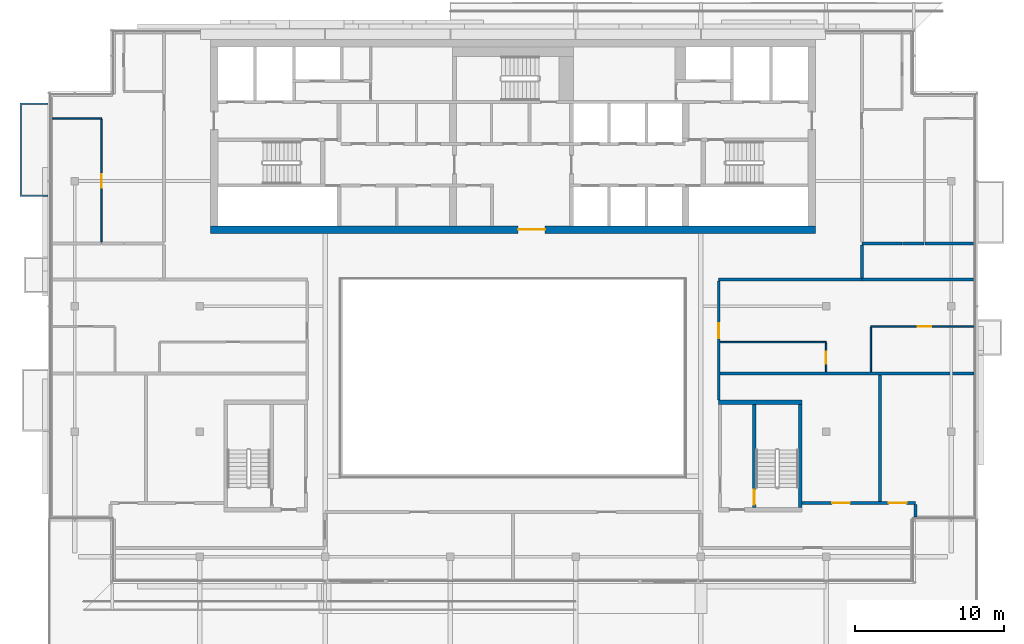
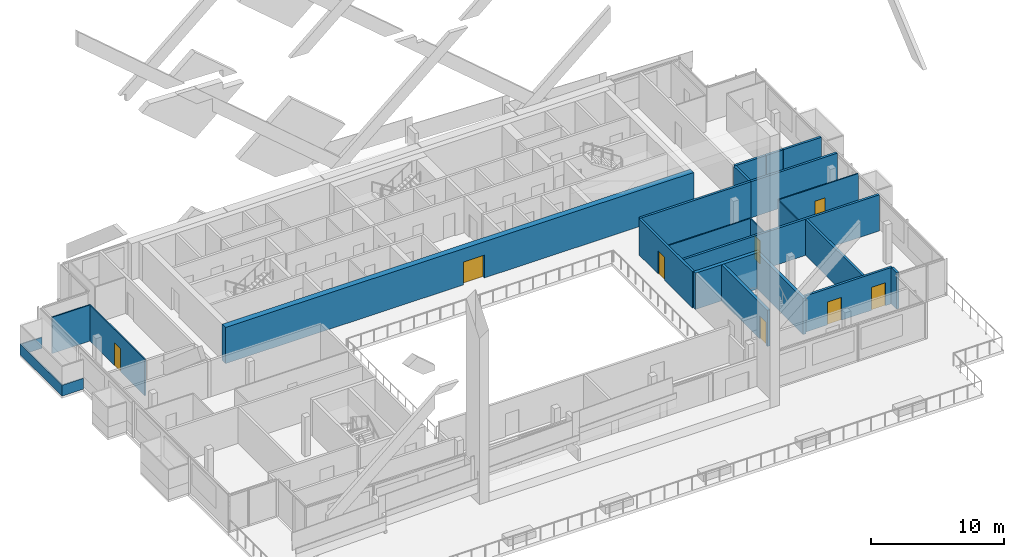
# One storey, part 12 of 22: 22 walls, 8 doors, 8 openings.
"""IFC4 building model written with IfcOpenShell, lengths in metres."""

import ifcopenshell
import ifcopenshell.guid

model = None  # the IFC model being written
_history = None  # IfcOwnerHistory: only IFC2X3 demands one
_inside = {}  # id of a spatial element -> (the spatial element, [elements in it])
_under = {}  # id of a project, library or spatial element -> (it, [spatial elements below it])
_declared = {}  # id of a project -> (the project, [libraries it declares])
_typed = {}  # id of a type object -> (the type object, [elements of that type])
_made_of = {}  # id of a material, layer set ... -> (it, [elements and type objects made of it])


def new_model(schema):
    """Start an empty IFC model of exactly this schema.

    Asked for "IFC4X3", IfcOpenShell would pick the latest addendum, in which some entities
    have other attributes; the version numbers below select the first issue.
    IFC2X3 requires an IfcOwnerHistory on every rooted entity: one is made here for all.
    """
    global model, _history
    if schema == "IFC4X3":
        model = ifcopenshell.file(schema_version=(4, 3, 0, 0))
    else:
        model = ifcopenshell.file(schema=schema)
    _inside.clear()
    _under.clear()
    _declared.clear()
    _typed.clear()
    _made_of.clear()
    _history = None
    if model.schema == "IFC2X3":
        org = make("IfcOrganization", Name="unknown")
        user = make(
            "IfcPersonAndOrganization",
            ThePerson=make("IfcPerson", FamilyName="unknown"),
            TheOrganization=org,
        )
        app = make(
            "IfcApplication",
            ApplicationDeveloper=org,
            Version="unknown",
            ApplicationFullName="unknown",
            ApplicationIdentifier="unknown",
        )
        _history = make(
            "IfcOwnerHistory",
            OwningUser=user,
            OwningApplication=app,
            ChangeAction="ADDED",
            CreationDate=0,
        )
    return model


def make(cls, **values):
    """One entity of the class cls with the attributes given. An attribute that is None is left unset."""
    return model.create_entity(
        cls, **{name: value for name, value in values.items() if value is not None}
    )


def rooted(cls, **values):
    """An entity with a GlobalId (a new one), such as an element, a storey or a relation."""
    return make(cls, GlobalId=ifcopenshell.guid.new(), OwnerHistory=_history, **values)


def si_unit(unit_type, name, prefix=None):
    """IfcSIUnit, for example si_unit("LENGTHUNIT", "METRE", prefix="MILLI")."""
    return make("IfcSIUnit", UnitType=unit_type, Prefix=prefix, Name=name)


def assignment(units):
    """IfcUnitAssignment: the units of a project."""
    return None if units is None else make("IfcUnitAssignment", Units=units)


def point(xyz):
    """IfcCartesianPoint."""
    return None if xyz is None else make("IfcCartesianPoint", Coordinates=xyz)


def direction(xyz):
    """IfcDirection."""
    return None if xyz is None else make("IfcDirection", DirectionRatios=xyz)


def frame(location, z_axis=None, x_axis=None):
    """IfcAxis2Placement3D, a coordinate frame: its origin and axes. An axis left out is left unset."""
    return make(
        "IfcAxis2Placement3D",
        Location=point(location),
        Axis=direction(z_axis),
        RefDirection=direction(x_axis),
    )


def frame_2d(location, x_axis=None):
    """IfcAxis2Placement2D, a coordinate frame in the plane: its origin and x axis."""
    return make(
        "IfcAxis2Placement2D", Location=point(location), RefDirection=direction(x_axis)
    )


def origin():
    """The frame at (0, 0, 0) with its axes left unset."""
    return frame((0.0, 0.0, 0.0))


def place(relative_to, where):
    """IfcLocalPlacement: puts the frame where relative to a parent placement (None: the world)."""
    return make(
        "IfcLocalPlacement", PlacementRelTo=relative_to, RelativePlacement=where
    )


def context(
    kind, dimensions, precision=None, world=None, true_north=None, identifier=None
):
    """IfcGeometricRepresentationContext, for example the 3D "Model" context."""
    return make(
        "IfcGeometricRepresentationContext",
        ContextIdentifier=identifier,
        ContextType=kind,
        CoordinateSpaceDimension=dimensions,
        Precision=precision,
        WorldCoordinateSystem=world,
        TrueNorth=true_north,
    )


def subcontext(parent, identifier, kind, view, scale=None):
    """IfcGeometricRepresentationSubContext, for example "Body" below "Model"."""
    return make(
        "IfcGeometricRepresentationSubContext",
        ContextIdentifier=identifier,
        ContextType=kind,
        ParentContext=parent,
        TargetScale=scale,
        TargetView=view,
    )


def project(units=None, contexts=None):
    """IfcProject with its units and contexts."""
    return rooted(
        "IfcProject",
        Name="project",
        RepresentationContexts=contexts,
        UnitsInContext=assignment(units),
    )


def spatial(cls, under=None, at=None, **own):
    """A site, building, storey or space (cls), placed at a placement, below another one or the project."""
    s = rooted(cls, ObjectPlacement=at, **own)
    if under is not None:
        _under.setdefault(under.id(), (under, []))[1].append(s)
    return s


def polyline(points):
    """IfcPolyline through the points."""
    return make("IfcPolyline", Points=[point(p) for p in points])


def profile(cls, at=None, kind="AREA", **sizes):
    """A parametric profile (cls). Its sizes go by their IFC names, for example OverallWidth=200.0."""
    return make(cls, ProfileType=kind, Position=at, **sizes)


def rectangle(**sizes):
    """IfcRectangleProfileDef."""
    return profile("IfcRectangleProfileDef", **sizes)


def outline(outer, holes=None, kind="AREA"):
    """IfcArbitraryClosedProfileDef: a profile drawn as a closed curve; with holes, ...WithVoids."""
    if holes is None:
        return make("IfcArbitraryClosedProfileDef", ProfileType=kind, OuterCurve=outer)
    return make(
        "IfcArbitraryProfileDefWithVoids",
        ProfileType=kind,
        OuterCurve=outer,
        InnerCurves=holes,
    )


def extrude(swept, where, along, depth):
    """IfcExtrudedAreaSolid: the profile swept, set in the frame where, extruded along a direction by depth."""
    return make(
        "IfcExtrudedAreaSolid",
        SweptArea=swept,
        Position=where,
        ExtrudedDirection=direction(along),
        Depth=depth,
    )


def shape(context_of_items, identifier, shape_type, items):
    """IfcShapeRepresentation: the items that make up one representation, for example the "Body"."""
    return make(
        "IfcShapeRepresentation",
        ContextOfItems=context_of_items,
        RepresentationIdentifier=identifier,
        RepresentationType=shape_type,
        Items=items,
    )


def material(Name=None, Category=None):
    """IfcMaterial."""
    return make("IfcMaterial", Name=Name, Category=Category)


def layer(
    of_material, thickness, ventilated=None, Name=None, Category=None, Priority=None
):
    """IfcMaterialLayer: one layer of a wall or slab, of a material (None: an air gap)."""
    return make(
        "IfcMaterialLayer",
        Material=of_material,
        LayerThickness=thickness,
        IsVentilated=ventilated,
        Name=Name,
        Category=Category,
        Priority=Priority,
    )


def layer_set(layers, Name=None):
    """IfcMaterialLayerSet."""
    return make("IfcMaterialLayerSet", MaterialLayers=layers, LayerSetName=Name)


def made_of(thing, what):
    """Note that an element or type object is made of a material, layer set ...; save() writes the relation."""
    if what is not None:
        _made_of.setdefault(what.id(), (what, []))[1].append(thing)
    return thing


def type_object(cls, material=None, **own):
    """A type object (cls), such as IfcWallType, which elements share."""
    return made_of(rooted(cls, **own), material)


def element(
    cls,
    number,
    at=None,
    inside=None,
    cuts=None,
    type_object=None,
    material=None,
    context=None,
    identifier="Body",
    shape_type=None,
    held_by="IfcProductDefinitionShape",
    body=None,
    shapes=None,
    **own,
):
    """One element of the class cls, such as IfcWall. Its Tag is "e" and its number.

    at: its placement. inside: the storey or other place that contains it. cuts: it is an
    opening in that element (IfcRelVoidsElement). A single representation is given by context,
    identifier, shape_type and body (its items); several are given by shapes. held_by: the class
    of the entity that holds the representations. save() writes the other relations.
    """
    e = rooted(cls, Tag="e%d" % number, ObjectPlacement=at, **own)
    if body is not None:
        shapes = [shape(context, identifier, shape_type, body)]
    if shapes is not None:
        e.Representation = make(held_by, Representations=shapes)
    if inside is not None:
        _inside.setdefault(inside.id(), (inside, []))[1].append(e)
    if cuts is not None:
        rooted(
            "IfcRelVoidsElement", RelatingBuildingElement=cuts, RelatedOpeningElement=e
        )
    if type_object is not None:
        _typed.setdefault(type_object.id(), (type_object, []))[1].append(e)
    return made_of(e, material)


def fill(opening, filler):
    """IfcRelFillsElement: the door or window that sits in an opening."""
    return rooted(
        "IfcRelFillsElement",
        RelatingOpeningElement=opening,
        RelatedBuildingElement=filler,
    )


def aggregate(whole, parts):
    """IfcRelAggregates: a whole, such as a stair, and the parts it consists of."""
    return rooted("IfcRelAggregates", RelatingObject=whole, RelatedObjects=parts)


def save(model, path):
    """Write the relations noted so far, then the file.

    IfcRelAggregates (storeys below a building ...), IfcRelContainedInSpatialStructure (elements
    in a storey), IfcRelDefinesByType, IfcRelAssociatesMaterial and IfcRelDeclares: one each for
    every whole, place, type object, material and project.
    """
    for whole, parts in _under.values():
        aggregate(whole, parts)
    for where, things in _inside.values():
        rooted(
            "IfcRelContainedInSpatialStructure",
            RelatedElements=things,
            RelatingStructure=where,
        )
    for kind, things in _typed.values():
        rooted("IfcRelDefinesByType", RelatedObjects=things, RelatingType=kind)
    for what, things in _made_of.values():
        rooted("IfcRelAssociatesMaterial", RelatedObjects=things, RelatingMaterial=what)
    for by, libraries in _declared.values():
        rooted("IfcRelDeclares", RelatingContext=by, RelatedDefinitions=libraries)
    model.write(path)


model = new_model("IFC4")

# Units and contexts
model_context = context("Model", 3, precision=1e-05, world=origin(), true_north=direction((0.0, 1.0)))
body_context = subcontext(model_context, "Body", "Model", "MODEL_VIEW")
ifc_project = project(units=[si_unit("LENGTHUNIT", "METRE"), si_unit("AREAUNIT", "SQUARE_METRE"), si_unit("VOLUMEUNIT", "CUBIC_METRE"), si_unit("PLANEANGLEUNIT", "RADIAN"), si_unit("MASSUNIT", "GRAM", prefix="KILO")], contexts=[model_context])

# Site, building, storey
site_placement = place(None, origin())
site = spatial("IfcSite", under=ifc_project, at=site_placement, CompositionType="ELEMENT")
building_placement = place(site_placement, origin())
building = spatial("IfcBuilding", under=site, at=building_placement, Name="Saffron Gate Tower", CompositionType="ELEMENT")
storey_placement = place(building_placement, frame((0.0, 0.0, 285.14990234375)))
storey = spatial("IfcBuildingStorey", under=building, at=storey_placement, Name="L69", CompositionType="ELEMENT", Elevation=285.14990234375)

# Wall, opening, door
ifc_material_1 = material(Name="Concrete C50", Category="concrete")
ifc_layer_1 = layer(ifc_material_1, 0.5)
ifc_layer_set_1 = layer_set([ifc_layer_1], Name="CW22 RC core wall 500 C50")
wall_type_1 = type_object("IfcWallType", Name="CW22 RC core wall 500 C50", PredefinedType="SOLIDWALL", material=ifc_layer_set_1)
wall_1_placement = place(storey_placement, frame((67.300048828125, 62.14990234375, 0.0), z_axis=(0.0, 0.0, 1.0), x_axis=(1.0, 0.0, 0.0)))
wall_1 = element("IfcWall", 1, at=wall_1_placement, inside=storey, type_object=wall_type_1, Name="Wall CW22-L69-1", PredefinedType="SOLIDWALL", context=body_context, shape_type="SweptSolid", body=[
    extrude(rectangle(XDim=40.599853515625, YDim=0.5, at=frame_2d((20.2998046875, 0.0))), origin(), (0.0, 0.0, 1.0), 3.320068359375),
])
opening_1_placement = place(wall_1_placement, frame((20.64990234375, 0.0, 0.0)))
opening_1 = element("IfcOpeningElement", 2, at=opening_1_placement, cuts=wall_1, Name="Opening CR-09", PredefinedType="OPENING", context=body_context, shape_type="SweptSolid", body=[
    extrude(rectangle(XDim=1.800048828125, YDim=2.10009765625, at=frame_2d((0.89990234375, 1.050048828125))), frame((0.0, 0.260009765625, 0.0), z_axis=(0.0, -1.0, 0.0), x_axis=(1.0, 0.0, 0.0)), (0.0, 0.0, 1.0), 0.52001953125),
])
ifc_material_2 = material(Name="Steel fire door set", Category="steel")
door_type_1 = type_object("IfcDoorType", Name="CD1 Core entrance door 1800x2100 EI 120", OperationType="NOTDEFINED", PredefinedType="DOOR", material=ifc_material_2)
door_1_placement = place(opening_1_placement, origin())
door_1 = element("IfcDoor", 3, at=door_1_placement, inside=storey, type_object=door_type_1, Name="DOOR CR-09", OperationType="DOUBLE_DOOR_SINGLE_SWING", OverallHeight=2.10009765625, OverallWidth=1.800048828125, PredefinedType="DOOR", context=body_context, shape_type="SweptSolid", body=[
    extrude(rectangle(XDim=1.800048828125, YDim=2.10009765625, at=frame_2d((0.89990234375, 1.050048828125))), frame((0.0, 0.02490234375, 0.0), z_axis=(0.0, -1.0, 0.0), x_axis=(1.0, 0.0, 0.0)), (0.0, 0.0, 1.0), 0.050048828125),
])
fill(opening_1, door_1)

ifc_layer_2 = layer(ifc_material_1, 0.25)
ifc_layer_set_2 = layer_set([ifc_layer_2], Name="CW23 RC core wall 250 C50")
wall_type_2 = type_object("IfcWallType", Name="CW23 RC core wall 250 C50", PredefinedType="SOLIDWALL", material=ifc_layer_set_2)
wall_2_placement = place(storey_placement, frame((103.77490234375, 43.5, 0.0), z_axis=(0.0, 0.0, 1.0), x_axis=(0.0, 1.0, 0.0)))
wall_2 = element("IfcWall", 4, at=wall_2_placement, inside=storey, type_object=wall_type_2, Name="Wall CW23-L69-E-3", PredefinedType="SOLIDWALL", context=body_context, shape_type="SweptSolid", body=[
    extrude(rectangle(XDim=6.89990234375, YDim=0.25, at=frame_2d((3.449951171875, 0.0))), origin(), (0.0, 0.0, 1.0), 3.320068359375),
])
opening_2_placement = place(wall_2_placement, frame((0.199951171875, 0.0, 0.0)))
opening_2 = element("IfcOpeningElement", 5, at=opening_2_placement, cuts=wall_2, Name="Opening CR-23", PredefinedType="OPENING", context=body_context, shape_type="SweptSolid", body=[
    extrude(rectangle(XDim=1.0, YDim=2.10009765625, at=frame_2d((0.5, 1.050048828125))), frame((0.0, 0.135009765625, 0.0), z_axis=(0.0, -1.0, 0.0), x_axis=(1.0, 0.0, 0.0)), (0.0, 0.0, 1.0), 0.27001953125),
])
door_type_2 = type_object("IfcDoorType", Name="CD5 Stair door 1000x2100 EI 120", OperationType="NOTDEFINED", PredefinedType="DOOR", material=ifc_material_2)
door_2_placement = place(opening_2_placement, origin())
door_2 = element("IfcDoor", 6, at=door_2_placement, inside=storey, type_object=door_type_2, Name="DOOR CR-23", OperationType="SINGLE_SWING_RIGHT", OverallHeight=2.10009765625, OverallWidth=1.0, PredefinedType="DOOR", context=body_context, shape_type="SweptSolid", body=[
    extrude(rectangle(XDim=1.0, YDim=2.10009765625, at=frame_2d((0.5, 1.050048828125))), frame((0.0, 0.02490234375, 0.0), z_axis=(0.0, -1.0, 0.0), x_axis=(1.0, 0.0, 0.0)), (0.0, 0.0, 1.0), 0.050048828125),
])
fill(opening_2, door_2)

# Walls
wall_3_placement = place(storey_placement, frame((106.875, 43.5, 0.0), z_axis=(0.0, 0.0, 1.0), x_axis=(0.0, 1.0, 0.0)))
element("IfcWall", 7, at=wall_3_placement, inside=storey, type_object=wall_type_2, Name="Wall CW23-L69-E-4", PredefinedType="SOLIDWALL", context=body_context, shape_type="SweptSolid", body=[
    extrude(rectangle(XDim=6.89990234375, YDim=0.25, at=frame_2d((3.449951171875, 0.0))), origin(), (0.0, 0.0, 1.0), 3.320068359375),
])
ifc_layer_3 = layer(ifc_material_1, 0.300048828125)
ifc_layer_set_3 = layer_set([ifc_layer_3], Name="CW26 RC core wall 300 C50")
wall_type_3 = type_object("IfcWallType", Name="CW26 RC core wall 300 C50", PredefinedType="SOLIDWALL", material=ifc_layer_set_3)
wall_4_placement = place(storey_placement, frame((101.39990234375, 50.550048828125, 0.0), z_axis=(0.0, 0.0, 1.0), x_axis=(1.0, 0.0, 0.0)))
element("IfcWall", 8, at=wall_4_placement, inside=storey, type_object=wall_type_3, Name="Wall CW26-L69-E-5", PredefinedType="SOLIDWALL", context=body_context, shape_type="SweptSolid", body=[
    extrude(rectangle(XDim=5.60009765625, YDim=0.300048828125, at=frame_2d((2.800048828125, 0.0))), origin(), (0.0, 0.0, 1.0), 3.320068359375),
])
ifc_material_3 = material(Name="Plasterboard on steel studs", Category="steel")
ifc_layer_4 = layer(ifc_material_3, 0.10009765625)
ifc_layer_set_4 = layer_set([ifc_layer_4], Name="PW1 Partition 100")
wall_type_4 = type_object("IfcWallType", Name="PW1 Partition 100", PredefinedType="PARTITIONING", material=ifc_layer_set_4)
wall_5_placement = place(storey_placement, frame((101.5, 54.60009765625, 0.0), z_axis=(0.0, 0.0, 1.0), x_axis=(1.0, 0.0, 0.0)))
element("IfcWall", 9, at=wall_5_placement, inside=storey, type_object=wall_type_4, Name="Partition E4-9", PredefinedType="PARTITIONING", context=body_context, shape_type="SweptSolid", body=[
    extrude(rectangle(XDim=7.10009765625, YDim=0.10009765625, at=frame_2d((3.550048828125, 0.0))), origin(), (0.0, 0.0, 1.0), 3.320068359375),
])

# Wall, opening, door
wall_6_placement = place(storey_placement, frame((118.52001953125, 55.64990234375, 0.0), z_axis=(0.0, 0.0, 1.0), x_axis=(-1.0, 0.0, 0.0)))
wall_6 = element("IfcWall", 10, at=wall_6_placement, inside=storey, type_object=wall_type_4, Name="Partition E4-11", PredefinedType="PARTITIONING", context=body_context, shape_type="SweptSolid", body=[
    extrude(rectangle(XDim=6.919921875, YDim=0.10009765625, at=frame_2d((3.4599609375, 0.0))), origin(), (0.0, 0.0, 1.0), 3.320068359375),
])
opening_3_placement = place(wall_6_placement, frame((2.8701171875, 0.0, 0.0)))
opening_3 = element("IfcOpeningElement", 11, at=opening_3_placement, cuts=wall_6, Name="Opening E4-7", PredefinedType="OPENING", context=body_context, shape_type="SweptSolid", body=[
    extrude(rectangle(XDim=0.89990234375, YDim=2.10009765625, at=frame_2d((0.449951171875, 1.050048828125))), frame((0.0, 0.06005859375, 0.0), z_axis=(0.0, -1.0, 0.0), x_axis=(1.0, 0.0, 0.0)), (0.0, 0.0, 1.0), 0.1201171875),
])
ifc_material_4 = material(Name="Timber door set", Category="wood")
door_type_3 = type_object("IfcDoorType", Name="RD1 Room door 900x2100", OperationType="NOTDEFINED", PredefinedType="DOOR", material=ifc_material_4)
door_3_placement = place(opening_3_placement, origin())
door_3 = element("IfcDoor", 12, at=door_3_placement, inside=storey, type_object=door_type_3, Name="Door E4-7", OperationType="SINGLE_SWING_LEFT", OverallHeight=2.10009765625, OverallWidth=0.89990234375, PredefinedType="DOOR", context=body_context, shape_type="SweptSolid", body=[
    extrude(rectangle(XDim=0.89990234375, YDim=2.10009765625, at=frame_2d((0.449951171875, 1.050048828125))), frame((0.0, 0.02490234375, 0.0), z_axis=(0.0, -1.0, 0.0), x_axis=(1.0, 0.0, 0.0)), (0.0, 0.0, 1.0), 0.050048828125),
])
fill(opening_3, door_3)

# Wall
wall_7_placement = place(storey_placement, frame((56.679931640625, 69.60009765625, 0.0), z_axis=(0.0, 0.0, 1.0), x_axis=(1.0, 0.0, 0.0)))
element("IfcWall", 13, at=wall_7_placement, inside=storey, type_object=wall_type_4, Name="Partition E4-23", PredefinedType="PARTITIONING", context=body_context, shape_type="SweptSolid", body=[
    extrude(rectangle(XDim=3.320068359375, YDim=0.10009765625, at=frame_2d((1.66015625, 0.0))), origin(), (0.0, 0.0, 1.0), 3.320068359375),
])

# Wall, opening, door
wall_8_placement = place(storey_placement, frame((60.0, 61.300048828125, 0.0), z_axis=(0.0, 0.0, 1.0), x_axis=(0.0, 1.0, 0.0)))
wall_8 = element("IfcWall", 14, at=wall_8_placement, inside=storey, type_object=wall_type_4, Name="Partition E4-27", PredefinedType="PARTITIONING", context=body_context, shape_type="SweptSolid", body=[
    extrude(rectangle(XDim=8.25, YDim=0.10009765625, at=frame_2d((4.125, 0.0))), origin(), (0.0, 0.0, 1.0), 3.320068359375),
])
opening_4_placement = place(wall_8_placement, frame((3.64990234375, 0.0, 0.0)))
opening_4 = element("IfcOpeningElement", 15, at=opening_4_placement, cuts=wall_8, Name="Opening E4-6", PredefinedType="OPENING", context=body_context, shape_type="SweptSolid", body=[
    extrude(rectangle(XDim=0.89990234375, YDim=2.10009765625, at=frame_2d((0.449951171875, 1.050048828125))), frame((0.0, 0.06005859375, 0.0), z_axis=(0.0, -1.0, 0.0), x_axis=(1.0, 0.0, 0.0)), (0.0, 0.0, 1.0), 0.1201171875),
])
door_4_placement = place(opening_4_placement, origin())
door_4 = element("IfcDoor", 16, at=door_4_placement, inside=storey, type_object=door_type_3, Name="Door E4-6", OperationType="SINGLE_SWING_LEFT", OverallHeight=2.10009765625, OverallWidth=0.89990234375, PredefinedType="DOOR", context=body_context, shape_type="SweptSolid", body=[
    extrude(rectangle(XDim=0.89990234375, YDim=2.10009765625, at=frame_2d((0.449951171875, 1.050048828125))), frame((0.0, 0.02490234375, 0.0), z_axis=(0.0, -1.0, 0.0), x_axis=(1.0, 0.0, 0.0)), (0.0, 0.0, 1.0), 0.050048828125),
])
fill(opening_4, door_4)

wall_9_placement = place(storey_placement, frame((108.60009765625, 52.60009765625, 0.0), z_axis=(0.0, 0.0, 1.0), x_axis=(0.0, 1.0, 0.0)))
wall_9 = element("IfcWall", 17, at=wall_9_placement, inside=storey, type_object=wall_type_4, Name="Partition E4-40", PredefinedType="PARTITIONING", context=body_context, shape_type="SweptSolid", body=[
    extrude(rectangle(XDim=1.949951171875, YDim=0.10009765625, at=frame_2d((0.97509765625, 0.0))), origin(), (0.0, 0.0, 1.0), 3.320068359375),
])
opening_5_placement = place(wall_9_placement, frame((0.550048828125, 0.0, 0.0)))
opening_5 = element("IfcOpeningElement", 18, at=opening_5_placement, cuts=wall_9, Name="Opening E4-11", PredefinedType="OPENING", context=body_context, shape_type="SweptSolid", body=[
    extrude(rectangle(XDim=0.800048828125, YDim=2.10009765625, at=frame_2d((0.39990234375, 1.050048828125))), frame((0.0, 0.06005859375, 0.0), z_axis=(0.0, -1.0, 0.0), x_axis=(1.0, 0.0, 0.0)), (0.0, 0.0, 1.0), 0.1201171875),
])
door_type_4 = type_object("IfcDoorType", Name="RD2 Bathroom door 800x2100", OperationType="NOTDEFINED", PredefinedType="DOOR", material=ifc_material_4)
door_5_placement = place(opening_5_placement, origin())
door_5 = element("IfcDoor", 19, at=door_5_placement, inside=storey, type_object=door_type_4, Name="Door E4-11", OperationType="SINGLE_SWING_LEFT", OverallHeight=2.10009765625, OverallWidth=0.800048828125, PredefinedType="DOOR", context=body_context, shape_type="SweptSolid", body=[
    extrude(rectangle(XDim=0.800048828125, YDim=2.10009765625, at=frame_2d((0.39990234375, 1.050048828125))), frame((0.0, 0.02490234375, 0.0), z_axis=(0.0, -1.0, 0.0), x_axis=(1.0, 0.0, 0.0)), (0.0, 0.0, 1.0), 0.050048828125),
])
fill(opening_5, door_5)

# Wall
wall_10_placement = place(storey_placement, frame((111.60009765625, 55.60009765625, 0.0), z_axis=(0.0, 0.0, 1.0), x_axis=(0.0, -1.0, 0.0)))
element("IfcWall", 20, at=wall_10_placement, inside=storey, type_object=wall_type_4, Name="Partition E4-43", PredefinedType="PARTITIONING", context=body_context, shape_type="SweptSolid", body=[
    extrude(rectangle(XDim=3.0, YDim=0.10009765625, at=frame_2d((1.5, 0.0))), origin(), (0.0, 0.0, 1.0), 3.320068359375),
])

# Wall, openings, doors
ifc_material_5 = material(Name="Clay brick masonry, rendered", Category="masonry")
ifc_layer_5 = layer(ifc_material_5, 0.199951171875)
ifc_layer_set_5 = layer_set([ifc_layer_5], Name="PW3 Corridor wall 200")
wall_type_5 = type_object("IfcWallType", Name="PW3 Corridor wall 200", PredefinedType="PARTITIONING", material=ifc_layer_set_5)
wall_11_placement = place(storey_placement, frame((107.0, 43.800048828125, 0.0), z_axis=(0.0, 0.0, 1.0), x_axis=(1.0, 0.0, 0.0)))
wall_11 = element("IfcWall", 21, at=wall_11_placement, inside=storey, type_object=wall_type_5, Name="Wall E4-5", PredefinedType="PARTITIONING", context=body_context, shape_type="SweptSolid", body=[
    extrude(rectangle(XDim=7.60009765625, YDim=0.199951171875, at=frame_2d((3.800048828125, 0.0))), origin(), (0.0, 0.0, 1.0), 3.320068359375),
])
opening_6_placement = place(wall_11_placement, frame((2.0, 0.0, 0.0)))
opening_6 = element("IfcOpeningElement", 22, at=opening_6_placement, cuts=wall_11, Name="Opening E4-16", PredefinedType="OPENING", context=body_context, shape_type="SweptSolid", body=[
    extrude(rectangle(XDim=1.199951171875, YDim=2.10009765625, at=frame_2d((0.60009765625, 1.050048828125))), frame((0.0, 0.10986328125, 0.0), z_axis=(0.0, -1.0, 0.0), x_axis=(1.0, 0.0, 0.0)), (0.0, 0.0, 1.0), 0.219970703125),
])
opening_7_placement = place(wall_11_placement, frame((5.800048828125, 0.0, 0.0)))
opening_7 = element("IfcOpeningElement", 23, at=opening_7_placement, cuts=wall_11, Name="Opening E4-15", PredefinedType="OPENING", context=body_context, shape_type="SweptSolid", body=[
    extrude(rectangle(XDim=1.199951171875, YDim=2.10009765625, at=frame_2d((0.60009765625, 1.050048828125))), frame((0.0, 0.10986328125, 0.0), z_axis=(0.0, -1.0, 0.0), x_axis=(1.0, 0.0, 0.0)), (0.0, 0.0, 1.0), 0.219970703125),
])
door_type_5 = type_object("IfcDoorType", Name="HD1 Hall door 1200x2100", OperationType="NOTDEFINED", PredefinedType="DOOR", material=ifc_material_4)
door_6_placement = place(opening_6_placement, origin())
door_6 = element("IfcDoor", 24, at=door_6_placement, inside=storey, type_object=door_type_5, Name="Door E4-16", OperationType="SINGLE_SWING_LEFT", OverallHeight=2.10009765625, OverallWidth=1.199951171875, PredefinedType="DOOR", context=body_context, shape_type="SweptSolid", body=[
    extrude(rectangle(XDim=1.199951171875, YDim=2.10009765625, at=frame_2d((0.60009765625, 1.050048828125))), frame((0.0, 0.02490234375, 0.0), z_axis=(0.0, -1.0, 0.0), x_axis=(1.0, 0.0, 0.0)), (0.0, 0.0, 1.0), 0.050048828125),
])
fill(opening_6, door_6)
door_7_placement = place(opening_7_placement, origin())
door_7 = element("IfcDoor", 25, at=door_7_placement, inside=storey, type_object=door_type_5, Name="Door E4-15", OperationType="SINGLE_SWING_RIGHT", OverallHeight=2.10009765625, OverallWidth=1.199951171875, PredefinedType="DOOR", context=body_context, shape_type="SweptSolid", body=[
    extrude(rectangle(XDim=1.199951171875, YDim=2.10009765625, at=frame_2d((0.60009765625, 1.050048828125))), frame((0.0, 0.02490234375, 0.0), z_axis=(0.0, -1.0, 0.0), x_axis=(1.0, 0.0, 0.0)), (0.0, 0.0, 1.0), 0.050048828125),
])
fill(opening_7, door_7)

# Wall
wall_12_placement = place(storey_placement, frame((101.39990234375, 58.800048828125, 0.0), z_axis=(0.0, 0.0, 1.0), x_axis=(1.0, 0.0, 0.0)))
element("IfcWall", 26, at=wall_12_placement, inside=storey, type_object=wall_type_5, Name="Wall E4-13", PredefinedType="PARTITIONING", context=body_context, shape_type="SweptSolid", body=[
    extrude(rectangle(XDim=9.60009765625, YDim=0.199951171875, at=frame_2d((4.800048828125, 0.0))), origin(), (0.0, 0.0, 1.0), 3.320068359375),
])

# Wall, opening, door
wall_13_placement = place(storey_placement, frame((101.39990234375, 58.699951171875, 0.0), z_axis=(0.0, 0.0, 1.0), x_axis=(0.0, -1.0, 0.0)))
wall_13 = element("IfcWall", 27, at=wall_13_placement, inside=storey, type_object=wall_type_5, Name="Wall E4-39", PredefinedType="PARTITIONING", context=body_context, shape_type="SweptSolid", body=[
    extrude(rectangle(XDim=8.0, YDim=0.199951171875, at=frame_2d((4.0, 0.0))), origin(), (0.0, 0.0, 1.0), 3.320068359375),
])
opening_8_placement = place(wall_13_placement, frame((2.85009765625, 0.0, 0.0)))
opening_8 = element("IfcOpeningElement", 28, at=opening_8_placement, cuts=wall_13, Name="Opening E4-3", PredefinedType="OPENING", context=body_context, shape_type="SweptSolid", body=[
    extrude(rectangle(XDim=1.0, YDim=2.10009765625, at=frame_2d((0.5, 1.050048828125))), frame((0.0, 0.10986328125, 0.0), z_axis=(0.0, -1.0, 0.0), x_axis=(1.0, 0.0, 0.0)), (0.0, 0.0, 1.0), 0.219970703125),
])
ifc_material_6 = material(Name="Timber fire door set", Category="wood")
door_type_6 = type_object("IfcDoorType", Name="FD1 Flat entry door 1000x2100", OperationType="NOTDEFINED", PredefinedType="DOOR", material=ifc_material_6)
door_8_placement = place(opening_8_placement, origin())
door_8 = element("IfcDoor", 29, at=door_8_placement, inside=storey, type_object=door_type_6, Name="Door E4-3", OperationType="SINGLE_SWING_LEFT", OverallHeight=2.10009765625, OverallWidth=1.0, PredefinedType="DOOR", context=body_context, shape_type="SweptSolid", body=[
    extrude(rectangle(XDim=1.0, YDim=2.10009765625, at=frame_2d((0.5, 1.050048828125))), frame((0.0, 0.02490234375, 0.0), z_axis=(0.0, -1.0, 0.0), x_axis=(1.0, 0.0, 0.0)), (0.0, 0.0, 1.0), 0.050048828125),
])
fill(opening_8, door_8)

# Walls
wall_14_placement = place(storey_placement, frame((114.60009765625, 43.699951171875, 0.0), z_axis=(0.0, 0.0, 1.0), x_axis=(0.0, -1.0, 0.0)))
element("IfcWall", 30, at=wall_14_placement, inside=storey, type_object=wall_type_5, Name="Wall E4-46", PredefinedType="PARTITIONING", context=body_context, shape_type="SweptSolid", body=[
    extrude(rectangle(XDim=0.820068359375, YDim=0.199951171875, at=frame_2d((0.41015625, 0.0))), origin(), (0.0, 0.0, 1.0), 3.320068359375),
])
ifc_layer_6 = layer(ifc_material_5, 0.199951171875)
ifc_layer_set_6 = layer_set([ifc_layer_6], Name="PW5 Room wall 200")
wall_type_6 = type_object("IfcWallType", Name="PW5 Room wall 200", PredefinedType="PARTITIONING", material=ifc_layer_set_6)
wall_15_placement = place(storey_placement, frame((101.5, 52.5, 0.0), z_axis=(0.0, 0.0, 1.0), x_axis=(1.0, 0.0, 0.0)))
element("IfcWall", 31, at=wall_15_placement, inside=storey, type_object=wall_type_6, Name="Wall E4-7", PredefinedType="PARTITIONING", context=body_context, shape_type="SweptSolid", body=[
    extrude(rectangle(XDim=17.02001953125, YDim=0.199951171875, at=frame_2d((8.510009765625, 0.0))), origin(), (0.0, 0.0, 1.0), 3.320068359375),
])
wall_16_placement = place(storey_placement, frame((111.02001953125, 58.800048828125, 0.0), z_axis=(0.0, 0.0, 1.0), x_axis=(1.0, 0.0, 0.0)))
element("IfcWall", 32, at=wall_16_placement, inside=storey, type_object=wall_type_6, Name="Wall E4-16", PredefinedType="PARTITIONING", context=body_context, shape_type="SweptSolid", body=[
    extrude(rectangle(XDim=7.47998046875, YDim=0.199951171875, at=frame_2d((3.739990234375, 0.0))), origin(), (0.0, 0.0, 1.0), 3.320068359375),
])
wall_17_placement = place(storey_placement, frame((111.02001953125, 61.199951171875, 0.0), z_axis=(0.0, 0.0, 1.0), x_axis=(1.0, 0.0, 0.0)))
element("IfcWall", 33, at=wall_17_placement, inside=storey, type_object=wall_type_6, Name="Wall E4-20", PredefinedType="PARTITIONING", context=body_context, shape_type="SweptSolid", body=[
    extrude(rectangle(XDim=2.659912109375, YDim=0.199951171875, at=frame_2d((1.330078125, 0.0))), origin(), (0.0, 0.0, 1.0), 3.320068359375),
])
wall_18_placement = place(storey_placement, frame((113.719970703125, 61.199951171875, 0.0), z_axis=(0.0, 0.0, 1.0), x_axis=(1.0, 0.0, 0.0)))
element("IfcWall", 34, at=wall_18_placement, inside=storey, type_object=wall_type_6, Name="Wall E4-21", PredefinedType="PARTITIONING", context=body_context, shape_type="SweptSolid", body=[
    extrude(rectangle(XDim=1.4599609375, YDim=0.199951171875, at=frame_2d((0.72998046875, 0.0))), origin(), (0.0, 0.0, 1.0), 3.320068359375),
])
wall_19_placement = place(storey_placement, frame((115.219970703125, 61.199951171875, 0.0), z_axis=(0.0, 0.0, 1.0), x_axis=(1.0, 0.0, 0.0)))
element("IfcWall", 35, at=wall_19_placement, inside=storey, type_object=wall_type_6, Name="Wall E4-22", PredefinedType="PARTITIONING", context=body_context, shape_type="SweptSolid", body=[
    extrude(rectangle(XDim=3.280029296875, YDim=0.199951171875, at=frame_2d((1.64013671875, 0.0))), origin(), (0.0, 0.0, 1.0), 3.320068359375),
])
wall_20_placement = place(storey_placement, frame((111.0, 61.10009765625, 0.0), z_axis=(0.0, 0.0, 1.0), x_axis=(0.0, -1.0, 0.0)))
element("IfcWall", 36, at=wall_20_placement, inside=storey, type_object=wall_type_6, Name="Wall E4-42", PredefinedType="PARTITIONING", context=body_context, shape_type="SweptSolid", body=[
    extrude(rectangle(XDim=2.2001953125, YDim=0.199951171875, at=frame_2d((1.10009765625, 0.0))), origin(), (0.0, 0.0, 1.0), 3.320068359375),
])
wall_21_placement = place(storey_placement, frame((112.199951171875, 52.39990234375, 0.0), z_axis=(0.0, 0.0, 1.0), x_axis=(0.0, -1.0, 0.0)))
element("IfcWall", 37, at=wall_21_placement, inside=storey, type_object=wall_type_6, Name="Wall E4-44", PredefinedType="PARTITIONING", context=body_context, shape_type="SweptSolid", body=[
    extrude(rectangle(XDim=8.5, YDim=0.199951171875, at=frame_2d((4.25, 0.0))), origin(), (0.0, 0.0, 1.0), 3.320068359375),
])
ifc_material_7 = material(Name="Rendered insulated panel, white")
ifc_layer_7 = layer(ifc_material_7, 0.10009765625)
ifc_layer_set_7 = layer_set([ifc_layer_7], Name="WB3 box parapet white")
wall_type_7 = type_object("IfcWallType", Name="WB3 box parapet white", PredefinedType="SOLIDWALL", material=ifc_layer_set_7)
wall_22_placement = place(storey_placement, origin())
element("IfcWall", 38, at=wall_22_placement, inside=storey, type_object=wall_type_7, Name="WINDOW BOX parapet", PredefinedType="SOLIDWALL", context=body_context, shape_type="SweptSolid", body=[
    extrude(outline(polyline([(56.39990234375, 70.64990234375), (56.39990234375, 70.550048828125), (54.633056640625, 70.550048828125), (54.633056640625, 64.449951171875), (56.39990234375, 64.449951171875), (56.39990234375, 64.35009765625), (54.532958984375, 64.35009765625), (54.532958984375, 70.64990234375), (56.39990234375, 70.64990234375)])), origin(), (0.0, 0.0, 1.0), 1.0),
])

save(model, "model.ifc")
